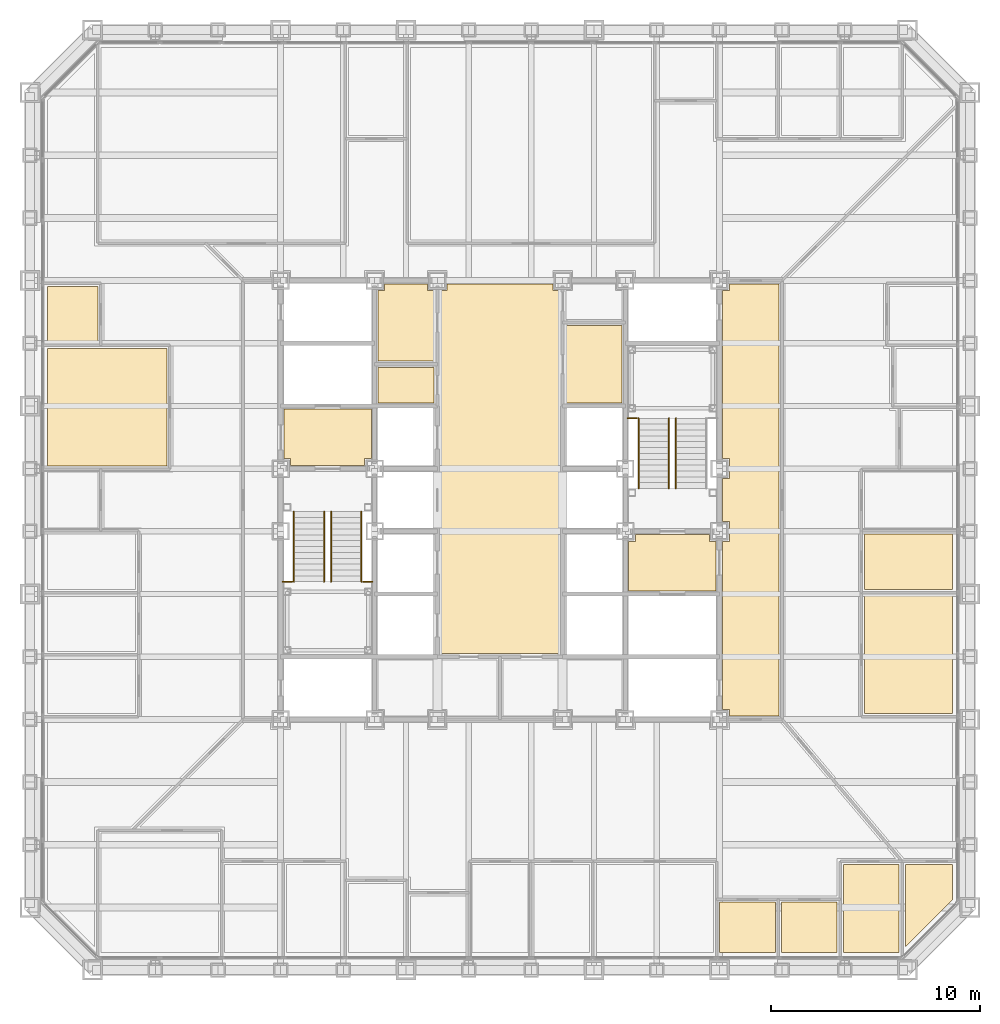
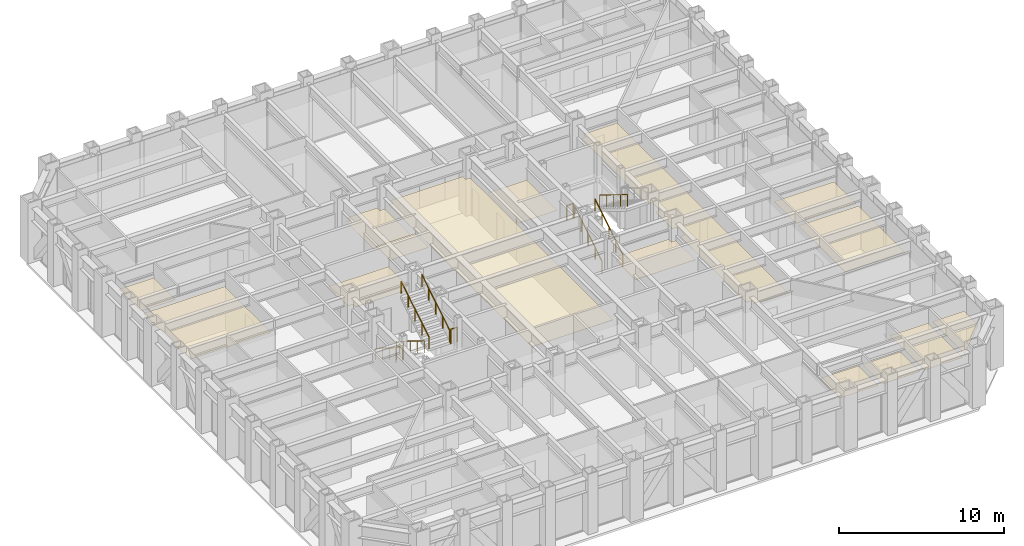
# One storey, part 15 of 16: 15 coverings, 10 railings.
"""IFC4 building model written with IfcOpenShell, lengths in metres."""

from ifc_helpers import new_model, si_unit, direction, frame, origin, origin_2d, place, context, subcontext, project, spatial, polyline, circle, outline, extrude, material, layer, layer_set, type_object, element, save


model = new_model("IFC4")

# Units and contexts
model_context = context("Model", 3, precision=1e-05, world=origin(), true_north=direction((0.0, 1.0)))
body_context = subcontext(model_context, "Body", "Model", "MODEL_VIEW")
ifc_project = project(units=[si_unit("LENGTHUNIT", "METRE"), si_unit("AREAUNIT", "SQUARE_METRE"), si_unit("VOLUMEUNIT", "CUBIC_METRE"), si_unit("PLANEANGLEUNIT", "RADIAN"), si_unit("MASSUNIT", "GRAM", prefix="KILO")], contexts=[model_context])

# Site, building, storey
site_placement = place(None, origin())
site = spatial("IfcSite", under=ifc_project, at=site_placement, CompositionType="ELEMENT")
building_placement = place(site_placement, origin())
building = spatial("IfcBuilding", under=site, at=building_placement, Name="Chuquiago Exchange Tower", CompositionType="ELEMENT")
storey_placement = place(building_placement, frame((0.0, 0.0, 33.300048828125)))
storey = spatial("IfcBuildingStorey", under=building, at=storey_placement, Name="L06", CompositionType="ELEMENT", Elevation=33.300048828125)

# Coverings
ifc_material_1 = material(Name="Mineral fibre tile, 600 x 600, on pale metal grid", Category="mineral fibre")
ifc_layer_1 = layer(ifc_material_1, 0.02001953125)
ifc_layer_set_1 = layer_set([ifc_layer_1], Name="CL1 suspended tile ceiling 20")
covering_type_1 = type_object("IfcCoveringType", Name="CL1 suspended tile ceiling 20", PredefinedType="CEILING", material=ifc_layer_set_1)
covering_1_placement = place(storey_placement, frame((0.0, 0.0, 3.0)))
element("IfcCovering", 1, at=covering_1_placement, inside=storey, type_object=covering_type_1, Name="Ceiling Focus room", PredefinedType="CEILING", context=body_context, shape_type="SweptSolid", body=[
    extrude(outline(polyline([(33.01611328125, 3.25), (35.677978515625, 3.25), (35.677978515625, 0.85009765625), (33.01611328125, 0.85009765625), (33.01611328125, 3.25)])), origin(), (0.0, 0.0, 1.0), 0.02001953125),
])
covering_2_placement = place(storey_placement, frame((0.0, 0.0, 3.0)))
element("IfcCovering", 2, at=covering_2_placement, inside=storey, type_object=covering_type_1, Name="Ceiling Focus room", PredefinedType="CEILING", context=body_context, shape_type="SweptSolid", body=[
    extrude(outline(polyline([(35.977783203125, 3.25), (38.6396484375, 3.25), (38.6396484375, 0.85009765625), (35.977783203125, 0.85009765625), (35.977783203125, 3.25)])), origin(), (0.0, 0.0, 1.0), 0.02001953125),
])
covering_3_placement = place(storey_placement, frame((0.0, 0.0, 3.0)))
element("IfcCovering", 3, at=covering_3_placement, inside=storey, type_object=covering_type_1, Name="Ceiling Office", PredefinedType="CEILING", context=body_context, shape_type="SweptSolid", body=[
    extrude(outline(polyline([(38.939697265625, 0.85009765625), (38.939697265625, 5.050048828125), (41.6015625, 5.050048828125), (41.6015625, 0.85009765625), (38.939697265625, 0.85009765625)])), origin(), (0.0, 0.0, 1.0), 0.02001953125),
])
covering_4_placement = place(storey_placement, frame((0.0, 0.0, 3.0)))
element("IfcCovering", 4, at=covering_4_placement, inside=storey, type_object=covering_type_1, Name="Ceiling Office", PredefinedType="CEILING", context=body_context, shape_type="SweptSolid", body=[
    extrude(outline(polyline([(41.901611328125, 1.103515625), (41.901611328125, 5.050048828125), (44.14990234375, 5.050048828125), (44.14990234375, 3.35205078125), (41.901611328125, 1.103515625)])), origin(), (0.0, 0.0, 1.0), 0.02001953125),
])
covering_5_placement = place(storey_placement, frame((0.0, 0.0, 3.0)))
element("IfcCovering", 5, at=covering_5_placement, inside=storey, type_object=covering_type_1, Name="Ceiling Meeting room", PredefinedType="CEILING", context=body_context, shape_type="SweptSolid", body=[
    extrude(outline(polyline([(39.949951171875, 12.28369140625), (39.949951171875, 17.907470703125), (44.14990234375, 17.907470703125), (44.14990234375, 12.28369140625), (39.949951171875, 12.28369140625)])), origin(), (0.0, 0.0, 1.0), 0.02001953125),
])
covering_6_placement = place(storey_placement, frame((0.0, 0.0, 3.0)))
element("IfcCovering", 6, at=covering_6_placement, inside=storey, type_object=covering_type_1, Name="Ceiling Office", PredefinedType="CEILING", context=body_context, shape_type="SweptSolid", body=[
    extrude(outline(polyline([(39.949951171875, 18.20751953125), (39.949951171875, 20.869140625), (44.14990234375, 20.869140625), (44.14990234375, 18.20751953125), (39.949951171875, 18.20751953125)])), origin(), (0.0, 0.0, 1.0), 0.02001953125),
])
covering_7_placement = place(storey_placement, frame((0.0, 0.0, 3.0)))
element("IfcCovering", 7, at=covering_7_placement, inside=storey, type_object=covering_type_1, Name="Ceiling Risk management office", PredefinedType="CEILING", context=body_context, shape_type="SweptSolid", body=[
    extrude(outline(polyline([(6.550048828125, 29.75439453125), (6.550048828125, 24.130859375), (0.85009765625, 24.130859375), (0.85009765625, 29.75439453125), (6.550048828125, 29.75439453125)])), origin(), (0.0, 0.0, 1.0), 0.02001953125),
])
covering_8_placement = place(storey_placement, frame((0.0, 0.0, 3.0)))
element("IfcCovering", 8, at=covering_8_placement, inside=storey, type_object=covering_type_1, Name="Ceiling Focus room", PredefinedType="CEILING", context=body_context, shape_type="SweptSolid", body=[
    extrude(outline(polyline([(3.25, 32.71630859375), (3.25, 30.054443359375), (0.85009765625, 30.054443359375), (0.85009765625, 32.71630859375), (3.25, 32.71630859375)])), origin(), (0.0, 0.0, 1.0), 0.02001953125),
])
covering_9_placement = place(storey_placement, frame((0.0, 0.0, 3.0)))
element("IfcCovering", 9, at=covering_9_placement, inside=storey, type_object=covering_type_1, Name="Ceiling Circulation corridor", PredefinedType="CEILING", context=body_context, shape_type="SweptSolid", body=[
    extrude(outline(polyline([(35.85009765625, 32.85009765625), (35.85009765625, 12.14990234375), (33.47509765625, 12.14990234375), (33.47509765625, 12.47509765625), (33.14990234375, 12.47509765625), (33.14990234375, 20.52490234375), (33.47509765625, 20.52490234375), (33.47509765625, 21.47509765625), (33.14990234375, 21.47509765625), (33.14990234375, 23.52490234375), (33.47509765625, 23.52490234375), (33.47509765625, 24.47509765625), (33.14990234375, 24.47509765625), (33.14990234375, 32.52490234375), (33.47509765625, 32.52490234375), (33.47509765625, 32.85009765625), (35.85009765625, 32.85009765625)])), origin(), (0.0, 0.0, 1.0), 0.02001953125),
])
covering_10_placement = place(storey_placement, frame((0.0, 0.0, 3.0)))
element("IfcCovering", 10, at=covering_10_placement, inside=storey, type_object=covering_type_1, Name="Ceiling First aid room", PredefinedType="CEILING", context=body_context, shape_type="SweptSolid", body=[
    extrude(outline(polyline([(16.64990234375, 27.14990234375), (16.64990234375, 28.85009765625), (19.35009765625, 28.85009765625), (19.35009765625, 27.14990234375), (16.64990234375, 27.14990234375)])), origin(), (0.0, 0.0, 1.0), 0.02001953125),
])
ifc_material_2 = material(Name="Moisture resistant plasterboard on metal frame", Category="gypsum")
ifc_layer_2 = layer(ifc_material_2, 0.014892578125)
ifc_layer_set_2 = layer_set([ifc_layer_2], Name="CL2 moisture resistant ceiling 15")
covering_type_2 = type_object("IfcCoveringType", Name="CL2 moisture resistant ceiling 15", PredefinedType="CEILING", material=ifc_layer_set_2)
covering_11_placement = place(storey_placement, frame((0.0, 0.0, 2.599853515625)))
element("IfcCovering", 11, at=covering_11_placement, inside=storey, type_object=covering_type_2, Name="Ceiling Male WC", PredefinedType="CEILING", context=body_context, shape_type="SweptSolid", body=[
    extrude(outline(polyline([(16.64990234375, 29.14990234375), (16.64990234375, 32.52490234375), (16.97509765625, 32.52490234375), (16.97509765625, 32.85009765625), (19.02490234375, 32.85009765625), (19.02490234375, 32.52490234375), (19.35009765625, 32.52490234375), (19.35009765625, 29.14990234375), (16.64990234375, 29.14990234375)])), origin(), (0.0, 0.0, 1.0), 0.01513671875),
])
covering_12_placement = place(storey_placement, frame((0.0, 0.0, 2.599853515625)))
element("IfcCovering", 12, at=covering_12_placement, inside=storey, type_object=covering_type_2, Name="Ceiling Female WC", PredefinedType="CEILING", context=body_context, shape_type="SweptSolid", body=[
    extrude(outline(polyline([(25.64990234375, 27.14990234375), (25.64990234375, 30.85009765625), (28.35009765625, 30.85009765625), (28.35009765625, 27.14990234375), (25.64990234375, 27.14990234375)])), origin(), (0.0, 0.0, 1.0), 0.01513671875),
])
ifc_material_3 = material(Name="Pale metal plank ceiling, perforated", Category="aluminium")
ifc_layer_3 = layer(ifc_material_3, 0.030029296875)
ifc_layer_set_3 = layer_set([ifc_layer_3], Name="CL3 metal plank ceiling 30")
covering_type_3 = type_object("IfcCoveringType", Name="CL3 metal plank ceiling 30", PredefinedType="CEILING", material=ifc_layer_set_3)
covering_13_placement = place(storey_placement, frame((0.0, 0.0, 2.800048828125)))
element("IfcCovering", 13, at=covering_13_placement, inside=storey, type_object=covering_type_3, Name="Ceiling Lift lobby", PredefinedType="CEILING", context=body_context, shape_type="SweptSolid", body=[
    extrude(outline(polyline([(19.64990234375, 15.14990234375), (19.64990234375, 32.52490234375), (19.97509765625, 32.52490234375), (19.97509765625, 32.85009765625), (25.02490234375, 32.85009765625), (25.02490234375, 32.52490234375), (25.35009765625, 32.52490234375), (25.35009765625, 15.14990234375), (19.64990234375, 15.14990234375)])), origin(), (0.0, 0.0, 1.0), 0.02978515625),
])
covering_14_placement = place(storey_placement, frame((0.0, 0.0, 2.800048828125)))
element("IfcCovering", 14, at=covering_14_placement, inside=storey, type_object=covering_type_3, Name="Ceiling Firefighting lobby", PredefinedType="CEILING", context=body_context, shape_type="SweptSolid", body=[
    extrude(outline(polyline([(12.47509765625, 24.14990234375), (12.47509765625, 24.47509765625), (12.14990234375, 24.47509765625), (12.14990234375, 26.85009765625), (16.35009765625, 26.85009765625), (16.35009765625, 24.47509765625), (16.02490234375, 24.47509765625), (16.02490234375, 24.14990234375), (12.47509765625, 24.14990234375)])), origin(), (0.0, 0.0, 1.0), 0.02978515625),
])
covering_15_placement = place(storey_placement, frame((0.0, 0.0, 2.800048828125)))
element("IfcCovering", 15, at=covering_15_placement, inside=storey, type_object=covering_type_3, Name="Ceiling Firefighting lobby", PredefinedType="CEILING", context=body_context, shape_type="SweptSolid", body=[
    extrude(outline(polyline([(28.64990234375, 18.14990234375), (28.64990234375, 20.52490234375), (28.97509765625, 20.52490234375), (28.97509765625, 20.85009765625), (32.52490234375, 20.85009765625), (32.52490234375, 20.52490234375), (32.85009765625, 20.52490234375), (32.85009765625, 18.14990234375), (28.64990234375, 18.14990234375)])), origin(), (0.0, 0.0, 1.0), 0.02978515625),
])

# Railings
ifc_material_4 = material(Name="Pale metal guard with safety glass infill", Category="glass")
railing_type_1 = type_object("IfcRailingType", Name="GR1 guard 1100", PredefinedType="GUARDRAIL", material=ifc_material_4)
for number, where, name in (
    (16, (12.10009765625, 18.590087890625, 2.25), "Guard ST1 L06 landing 2"),
    (17, (15.945068359375, 18.590087890625, 2.25), "Guard ST1 L06 landing 2"),
    (18, (28.60009765625, 26.409912109375, 2.25), "Guard ST2 L06 landing 2"),
):
    element("IfcRailing", number, at=place(storey_placement, frame(where)), inside=storey, type_object=railing_type_1, Name=name, PredefinedType="GUARDRAIL", context=body_context, shape_type="SweptSolid", body=[
        extrude(circle(Radius=0.02392578125, at=origin_2d()), frame((0.0, 0.0, 1.076171875), z_axis=(1.0, 0.0, 0.0), x_axis=(0.0, 1.0, 0.0)), (0.0, 0.0, 1.0), 0.454833984375),
        extrude(circle(Radius=0.02099609375, at=origin_2d()), origin(), (0.0, 0.0, 1.0), 1.052001953125),
        extrude(circle(Radius=0.02099609375, at=origin_2d()), frame((0.454833984375, 0.0, 0.0)), (0.0, 0.0, 1.0), 1.052001953125),
    ])
ifc_material_5 = material(Name="Pale metal handrail", Category="steel")
railing_type_2 = type_object("IfcRailingType", Name="HR1 handrail 900", PredefinedType="HANDRAIL", material=ifc_material_5)
for number, where, name in (
    (19, (12.635009765625, 21.949951171875, 0.173095703125), "Handrail ST1 L06 flight 1"),
    (20, (14.0849609375, 21.949951171875, 0.173095703125), "Handrail ST1 L06 flight 1"),
):
    element("IfcRailing", number, at=place(storey_placement, frame(where)), inside=storey, type_object=railing_type_2, Name=name, PredefinedType="HANDRAIL", context=body_context, shape_type="SweptSolid", body=[
        extrude(circle(Radius=0.02392578125, at=origin_2d()), frame((0.0, 0.0, 0.8759765625), z_axis=(0.0, -0.850606129759, 0.525803396734), x_axis=(1.0, 0.0, 0.0)), (0.0, 0.0, 1.0), 3.949951171875),
        extrude(circle(Radius=0.02099609375, at=origin_2d()), origin(), (0.0, 0.0, 1.0), 0.851806640625),
        extrude(circle(Radius=0.02099609375, at=origin_2d()), frame((0.0, -0.83984375, 0.519287109375)), (0.0, 0.0, 1.0), 0.851806640625),
        extrude(circle(Radius=0.02099609375, at=origin_2d()), frame((0.0, -1.679931640625, 1.03857421875)), (0.0, 0.0, 1.0), 0.851806640625),
        extrude(circle(Radius=0.02099609375, at=origin_2d()), frame((0.0, -2.52001953125, 1.5576171875)), (0.0, 0.0, 1.0), 0.851806640625),
        extrude(circle(Radius=0.02099609375, at=origin_2d()), frame((0.0, -3.35986328125, 2.076904296875)), (0.0, 0.0, 1.0), 0.851806640625),
    ])
for number, where, name in (
    (21, (15.864990234375, 18.590087890625, 2.423095703125), "Handrail ST1 L06 flight 2"),
    (22, (14.4150390625, 18.590087890625, 2.423095703125), "Handrail ST1 L06 flight 2"),
    (23, (30.5849609375, 23.050048828125, 0.173095703125), "Handrail ST2 L06 flight 1"),
    (24, (29.135009765625, 23.050048828125, 0.173095703125), "Handrail ST2 L06 flight 1"),
):
    element("IfcRailing", number, at=place(storey_placement, frame(where)), inside=storey, type_object=railing_type_2, Name=name, PredefinedType="HANDRAIL", context=body_context, shape_type="SweptSolid", body=[
        extrude(circle(Radius=0.02392578125, at=origin_2d()), frame((0.0, 0.0, 0.8759765625), z_axis=(0.0, 0.850606129759, 0.525803396734), x_axis=(-1.0, 0.0, 0.0)), (0.0, 0.0, 1.0), 3.949951171875),
        extrude(circle(Radius=0.02099609375, at=origin_2d()), origin(), (0.0, 0.0, 1.0), 0.851806640625),
        extrude(circle(Radius=0.02099609375, at=origin_2d()), frame((0.0, 0.83984375, 0.519287109375)), (0.0, 0.0, 1.0), 0.851806640625),
        extrude(circle(Radius=0.02099609375, at=origin_2d()), frame((0.0, 1.679931640625, 1.03857421875)), (0.0, 0.0, 1.0), 0.851806640625),
        extrude(circle(Radius=0.02099609375, at=origin_2d()), frame((0.0, 2.52001953125, 1.5576171875)), (0.0, 0.0, 1.0), 0.851806640625),
        extrude(circle(Radius=0.02099609375, at=origin_2d()), frame((0.0, 3.35986328125, 2.076904296875)), (0.0, 0.0, 1.0), 0.851806640625),
    ])
railing_placement = place(storey_placement, frame((30.9150390625, 26.409912109375, 2.423095703125)))
element("IfcRailing", 25, at=railing_placement, inside=storey, type_object=railing_type_2, Name="Handrail ST2 L06 flight 2", PredefinedType="HANDRAIL", context=body_context, shape_type="SweptSolid", body=[
    extrude(circle(Radius=0.02392578125, at=origin_2d()), frame((0.0, 0.0, 0.8759765625), z_axis=(0.0, -0.850606129759, 0.525803396734), x_axis=(1.0, 0.0, 0.0)), (0.0, 0.0, 1.0), 3.949951171875),
    extrude(circle(Radius=0.02099609375, at=origin_2d()), origin(), (0.0, 0.0, 1.0), 0.851806640625),
    extrude(circle(Radius=0.02099609375, at=origin_2d()), frame((0.0, -0.83984375, 0.519287109375)), (0.0, 0.0, 1.0), 0.851806640625),
    extrude(circle(Radius=0.02099609375, at=origin_2d()), frame((0.0, -1.679931640625, 1.03857421875)), (0.0, 0.0, 1.0), 0.851806640625),
    extrude(circle(Radius=0.02099609375, at=origin_2d()), frame((0.0, -2.52001953125, 1.5576171875)), (0.0, 0.0, 1.0), 0.851806640625),
    extrude(circle(Radius=0.02099609375, at=origin_2d()), frame((0.0, -3.35986328125, 2.076904296875)), (0.0, 0.0, 1.0), 0.851806640625),
])

save(model, "model.ifc")
